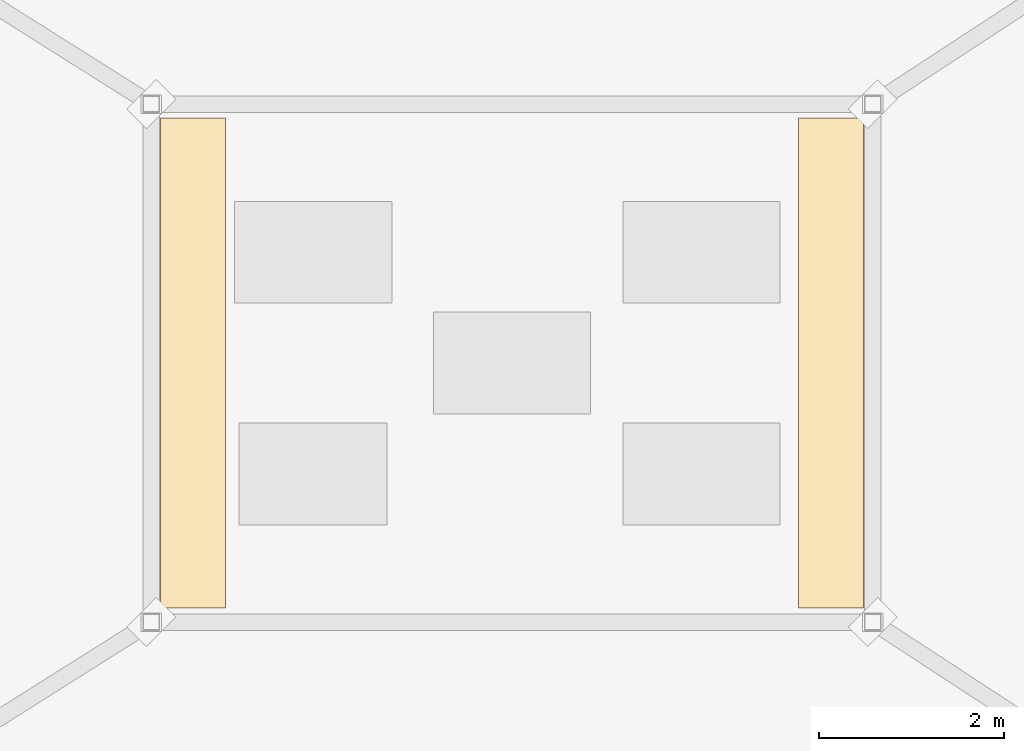
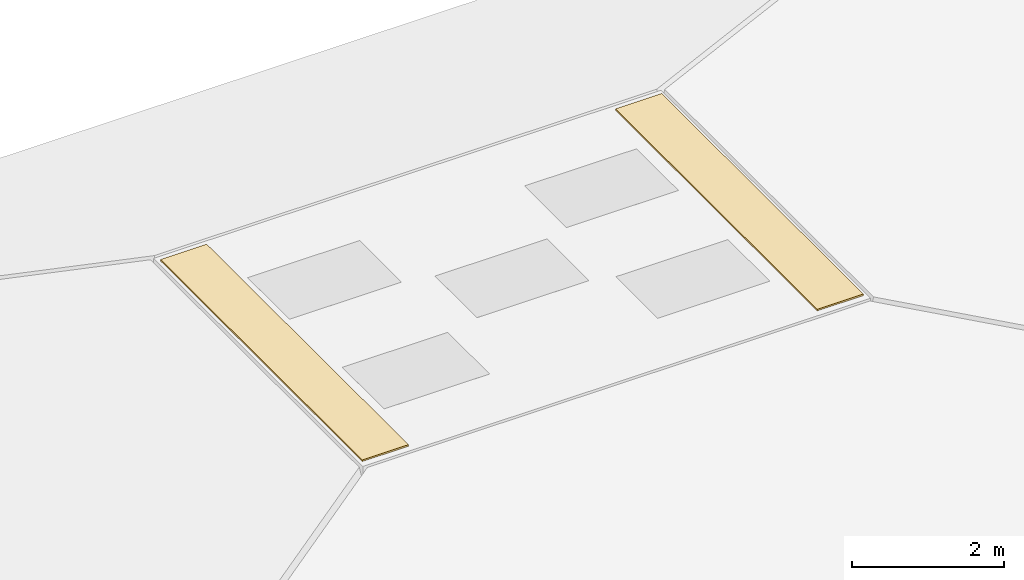
# One storey, part 5 of 5: 2 coverings.
"""IFC4 building model written with IfcOpenShell, lengths in metres."""

from ifc_helpers import new_model, si_unit, direction, frame, origin, place, context, subcontext, project, spatial, polyline, outline, extrude, material, layer, layer_set, type_object, element, save


model = new_model("IFC4")

# Units and contexts
model_context = context("Model", 3, precision=1e-05, world=origin(), true_north=direction((0.0, 1.0)))
body_context = subcontext(model_context, "Body", "Model", "MODEL_VIEW")
ifc_project = project(units=[si_unit("LENGTHUNIT", "METRE"), si_unit("AREAUNIT", "SQUARE_METRE"), si_unit("VOLUMEUNIT", "CUBIC_METRE"), si_unit("PLANEANGLEUNIT", "RADIAN"), si_unit("MASSUNIT", "GRAM", prefix="KILO")], contexts=[model_context])

# Site, building, storey
site_placement = place(None, origin())
site = spatial("IfcSite", under=ifc_project, at=site_placement, CompositionType="ELEMENT")
building_placement = place(site_placement, origin())
building = spatial("IfcBuilding", under=site, at=building_placement, Name="Celadon Cloister-Ring School", CompositionType="ELEMENT")
storey_placement = place(building_placement, frame((0.0, 0.0, 24.5)))
storey = spatial("IfcBuildingStorey", under=building, at=storey_placement, Name="RF", CompositionType="ELEMENT", Elevation=24.5)

# Coverings
ifc_material = material(Name="Standing-seam fluoropolymer aluminium sheet", Category="aluminium")
ifc_layer = layer(ifc_material, 0.02490234375)
ifc_layer_set = layer_set([ifc_layer], Name="Standing-seam fluoropolymer aluminium sheet")
covering_type = type_object("IfcCoveringType", Name="CV-RF1", PredefinedType="ROOFING", material=ifc_layer_set)
covering_1_placement = place(storey_placement, frame((0.0, 0.0, 1.820068359375)))
element("IfcCovering", 1, at=covering_1_placement, inside=storey, type_object=covering_type, Name="Celadon Standing-Seam Roofing 0704", PredefinedType="ROOFING", context=body_context, shape_type="SweptSolid", body=[
    extrude(outline(polyline([(8.35009765625, 45.35009765625), (9.050048828125, 45.35009765625), (9.050048828125, 50.64990234375), (8.35009765625, 50.64990234375), (8.35009765625, 45.35009765625)])), origin(), (0.0, 0.0, 1.0), 0.02490234375),
])
covering_2_placement = place(storey_placement, frame((0.0, 0.0, 1.820068359375)))
element("IfcCovering", 2, at=covering_2_placement, inside=storey, type_object=covering_type, Name="Celadon Standing-Seam Roofing 0705", PredefinedType="ROOFING", context=body_context, shape_type="SweptSolid", body=[
    extrude(outline(polyline([(15.25, 45.35009765625), (15.949951171875, 45.35009765625), (15.949951171875, 50.64990234375), (15.25, 50.64990234375), (15.25, 45.35009765625)])), origin(), (0.0, 0.0, 1.0), 0.02490234375),
])

save(model, "model.ifc")
